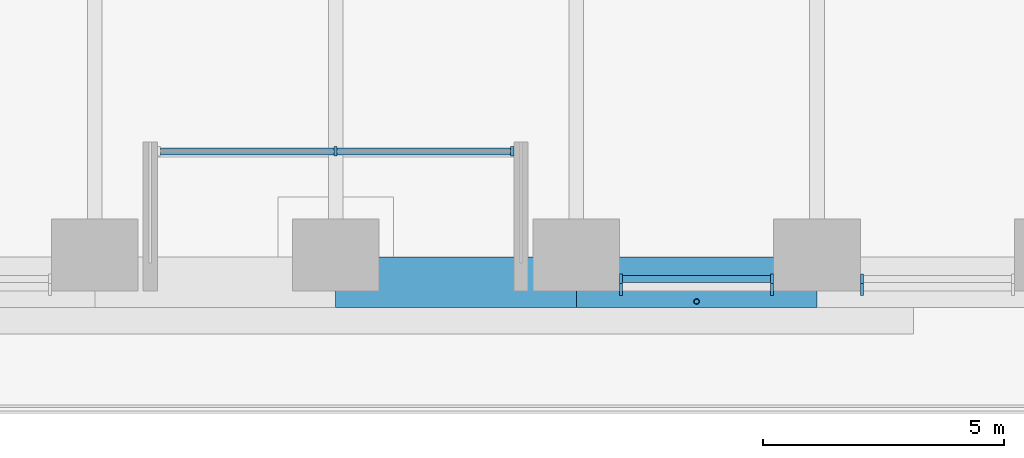
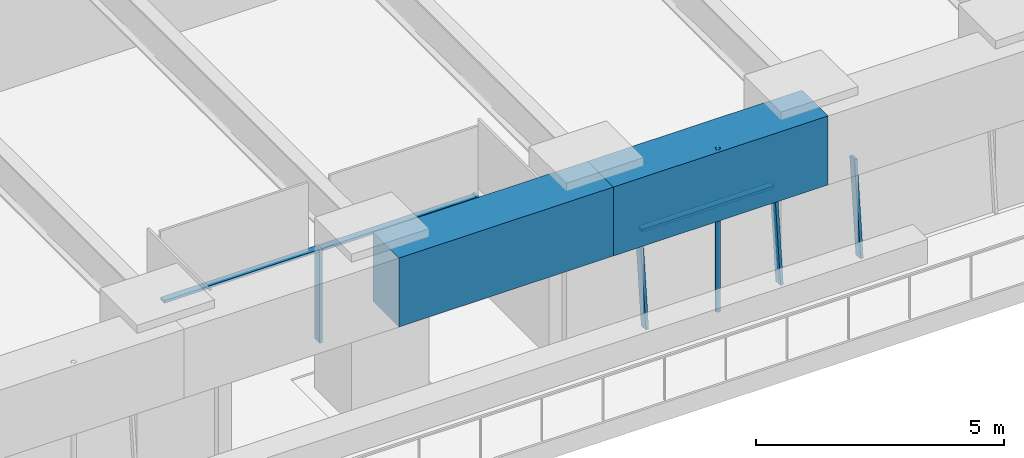
# One storey, part 4 of 24: 8 members, 2 beams, 3 elements without a shape of their own.
"""IFC4 building model written with IfcOpenShell, lengths in metres."""

from ifc_helpers import new_model, si_unit, direction, frame, origin, origin_2d, place, context, subcontext, project, spatial, rectangle, hollow_circle, extrude, material, material_profile, profile_set, type_object, element, aggregate, save


model = new_model("IFC4")

# Units and contexts
model_context = context("Model", 3, precision=1e-05, world=origin(), true_north=direction((0.0, 1.0)))
body_context = subcontext(model_context, "Body", "Model", "MODEL_VIEW")
ifc_project = project(units=[si_unit("LENGTHUNIT", "METRE"), si_unit("AREAUNIT", "SQUARE_METRE"), si_unit("VOLUMEUNIT", "CUBIC_METRE"), si_unit("PLANEANGLEUNIT", "RADIAN"), si_unit("MASSUNIT", "GRAM", prefix="KILO")], contexts=[model_context])

# Site, building, storey
site_placement = place(None, origin())
site = spatial("IfcSite", under=ifc_project, at=site_placement, CompositionType="ELEMENT")
building_placement = place(site_placement, origin())
building = spatial("IfcBuilding", under=site, at=building_placement, Name="Tarfa Lantern Tower", CompositionType="ELEMENT")
storey_placement = place(building_placement, frame((0.0, 0.0, 123.699951171875)))
storey = spatial("IfcBuildingStorey", under=building, at=storey_placement, Name="L27", CompositionType="ELEMENT", Elevation=123.699951171875)

# Curtain wall, members
ifc_material_1 = material(Name="Aluminium framed curtain wall", Category="aluminium")
curtain_wall_type_1 = type_object("IfcCurtainWallType", Name="CW2 CANTED GLAZING MID ZONE 2300", PredefinedType="USERDEFINED", material=ifc_material_1)
curtain_wall_1_placement = place(storey_placement, origin())
curtain_wall_1 = element("IfcCurtainWall", 1, at=curtain_wall_1_placement, inside=storey, type_object=curtain_wall_type_1, Name="CW2 SB L27", ObjectType="CURTAIN WALL", PredefinedType="USERDEFINED")
ifc_material_2 = material(Name="Aluminium mullion", Category="aluminium")
ifc_material_profile_1 = material_profile(ifc_material_2, rectangle(XDim=0.06494140625, YDim=0.199951171875, at=origin_2d()), Name="AL MULLION 65x200")
ifc_profile_set_1 = profile_set([ifc_material_profile_1], Name="Aluminium mullion")
member_type_1 = type_object("IfcMemberType", Name="CWM1 MULLION 65x200", PredefinedType="MULLION", material=ifc_profile_set_1)
member_1_placement = place(storey_placement, frame((5.936279296875, -31.39990234375, 0.0), z_axis=(0.0, 0.108056913548, 0.994144709504), x_axis=(-1.0, 0.0, 0.0)))
member_1 = element("IfcMember", 2, at=member_1_placement, type_object=member_type_1, Name="CW2 mullion 1", PredefinedType="MULLION", context=body_context, shape_type="SweptSolid", body=[
    extrude(rectangle(XDim=0.06494140625, YDim=0.199951171875, at=origin_2d()), origin(), (0.0, 0.0, 1.0), 2.3134765625),
])
member_2_placement = place(storey_placement, frame((9.074951171875, -31.39990234375, 0.0), z_axis=(0.0, 0.108056913548, 0.994144709504), x_axis=(-1.0, 0.0, 0.0)))
member_2 = element("IfcMember", 3, at=member_2_placement, type_object=member_type_1, Name="CW2 mullion 2", PredefinedType="MULLION", context=body_context, shape_type="SweptSolid", body=[
    extrude(rectangle(XDim=0.06494140625, YDim=0.199951171875, at=origin_2d()), origin(), (0.0, 0.0, 1.0), 2.3134765625),
])

# Curtain wall, member
curtain_wall_2_placement = place(storey_placement, origin())
curtain_wall_2 = element("IfcCurtainWall", 4, at=curtain_wall_2_placement, inside=storey, type_object=curtain_wall_type_1, Name="CW2 SB L27", ObjectType="CURTAIN WALL", PredefinedType="USERDEFINED")
member_3_placement = place(storey_placement, frame((10.93994140625, -31.39990234375, 0.0), z_axis=(0.0, 0.108056913548, 0.994144709504), x_axis=(-1.0, 0.0, 0.0)))
member_3 = element("IfcMember", 5, at=member_3_placement, type_object=member_type_1, Name="CW2 mullion 1", PredefinedType="MULLION", context=body_context, shape_type="SweptSolid", body=[
    extrude(rectangle(XDim=0.06494140625, YDim=0.199951171875, at=origin_2d()), origin(), (0.0, 0.0, 1.0), 2.3134765625),
])
aggregate(curtain_wall_2, [member_3])

# Curtain wall, members
curtain_wall_type_2 = type_object("IfcCurtainWallType", Name="CW10 LOGGIA GLAZING 2300", PredefinedType="USERDEFINED", material=ifc_material_1)
curtain_wall_3_placement = place(storey_placement, origin())
curtain_wall_3 = element("IfcCurtainWall", 6, at=curtain_wall_3_placement, inside=storey, type_object=curtain_wall_type_2, Name="CW10 SL L27", ObjectType="CURTAIN WALL", PredefinedType="USERDEFINED")
member_4_placement = place(storey_placement, frame((0.0, -28.5, 0.0), z_axis=(0.0, 0.0, 1.0), x_axis=(1.0, 0.0, 0.0)))
member_4 = element("IfcMember", 7, at=member_4_placement, type_object=member_type_1, Name="CW10 mullion 2", PredefinedType="MULLION", context=body_context, shape_type="SweptSolid", body=[
    extrude(rectangle(XDim=0.06494140625, YDim=0.199951171875, at=origin_2d()), origin(), (0.0, 0.0, 1.0), 2.300048828125),
])
member_5_placement = place(storey_placement, frame((3.671142578125, -28.5, 0.0), z_axis=(0.0, 0.0, 1.0), x_axis=(1.0, 0.0, 0.0)))
member_5 = element("IfcMember", 8, at=member_5_placement, type_object=member_type_1, Name="CW10 mullion 3", PredefinedType="MULLION", context=body_context, shape_type="SweptSolid", body=[
    extrude(rectangle(XDim=0.06494140625, YDim=0.199951171875, at=origin_2d()), origin(), (0.0, 0.0, 1.0), 2.300048828125),
])

# Member
ifc_material_3 = material(Name="Aluminium transom", Category="aluminium")
ifc_material_profile_2 = material_profile(ifc_material_3, rectangle(XDim=0.14990234375, YDim=0.06494140625, at=origin_2d()), Name="AL TRANSOM 150x65")
ifc_profile_set_2 = profile_set([ifc_material_profile_2], Name="Aluminium transom")
member_type_2 = type_object("IfcMemberType", Name="CWT1 TRANSOM 150x65", PredefinedType="USERDEFINED", material=ifc_profile_set_2)
member_6_placement = place(storey_placement, frame((5.96875, -31.153564453125, 2.267578125), z_axis=(1.0, 0.0, 0.0), x_axis=(0.0, 1.0, 0.0)))
member_6 = element("IfcMember", 9, at=member_6_placement, type_object=member_type_2, Name="CW2 transom 1.2", ObjectType="TRANSOM", PredefinedType="USERDEFINED", context=body_context, shape_type="SweptSolid", body=[
    extrude(rectangle(XDim=0.14990234375, YDim=0.06494140625, at=origin_2d()), origin(), (0.0, 0.0, 1.0), 3.07373046875),
])

aggregate(curtain_wall_1, [member_1, member_2, member_6])

member_7_placement = place(storey_placement, frame((-3.638671875, -28.5, 2.267578125), z_axis=(1.0, 0.0, 0.0), x_axis=(0.0, 1.0, 0.0)))
member_7 = element("IfcMember", 10, at=member_7_placement, type_object=member_type_2, Name="CW10 transom 1.2", ObjectType="TRANSOM", PredefinedType="USERDEFINED", context=body_context, shape_type="SweptSolid", body=[
    extrude(rectangle(XDim=0.14990234375, YDim=0.06494140625, at=origin_2d()), origin(), (0.0, 0.0, 1.0), 7.27734375),
])

aggregate(curtain_wall_3, [member_4, member_5, member_7])

# Beams
ifc_material_4 = material(Name="Concrete C80/95", Category="concrete")
ifc_material_profile_3 = material_profile(ifc_material_4, rectangle(XDim=1.050048828125, YDim=1.699951171875, at=origin_2d()), Name="RC 1050x1700")
ifc_profile_set_3 = profile_set([ifc_material_profile_3], Name="Concrete C80/95")
beam_type = type_object("IfcBeamType", Name="RB2 RC 1050x1700", PredefinedType="BEAM", material=ifc_profile_set_3)
for number, where, z_axis, x_axis, name in (
    (11, (0.0, -31.219970703125, 3.150146484375), (1.0, 0.0, 0.0), (0.0, 1.0, 0.0), "Edge beam S3"),
    (12, (5.003662109375, -31.219970703125, 3.150146484375), (1.0, 0.0, 0.0), (0.0, 1.0, 0.0), "Edge beam S4"),
):
    element("IfcBeam", number, at=place(storey_placement, frame(where, z_axis=z_axis, x_axis=x_axis)), inside=storey, type_object=beam_type, Name=name, PredefinedType="BEAM", context=body_context, shape_type="SweptSolid", body=[
        extrude(rectangle(XDim=1.050048828125, YDim=1.699951171875, at=origin_2d()), origin(), (0.0, 0.0, 1.0), 5.003662109375),
    ])

# Member
ifc_material_5 = material(Name="Steel S355", Category="steel")
ifc_material_profile_4 = material_profile(ifc_material_5, hollow_circle(Radius=0.05712890625, WallThickness=0.00634765625, at=origin_2d()), Name="CHS114.3x6.3")
ifc_profile_set_4 = profile_set([ifc_material_profile_4], Name="Steel S355")
member_type_3 = type_object("IfcMemberType", Name="TR1 GREEN WALL TRELLIS CHS114.3x6.3", PredefinedType="USERDEFINED", material=ifc_profile_set_4)
member_8_placement = place(storey_placement, frame((7.505615234375, -31.6201171875, 0.0), z_axis=(0.0, 0.0, 1.0), x_axis=(1.0, 0.0, 0.0)))
element("IfcMember", 13, at=member_8_placement, inside=storey, type_object=member_type_3, Name="Trellis post S 2", ObjectType="TRELLIS", PredefinedType="USERDEFINED", context=body_context, shape_type="SweptSolid", body=[
    extrude(hollow_circle(Radius=0.05712890625, WallThickness=0.00634765625, at=origin_2d()), origin(), (0.0, 0.0, 1.0), 4.0),
])

save(model, "model.ifc")
